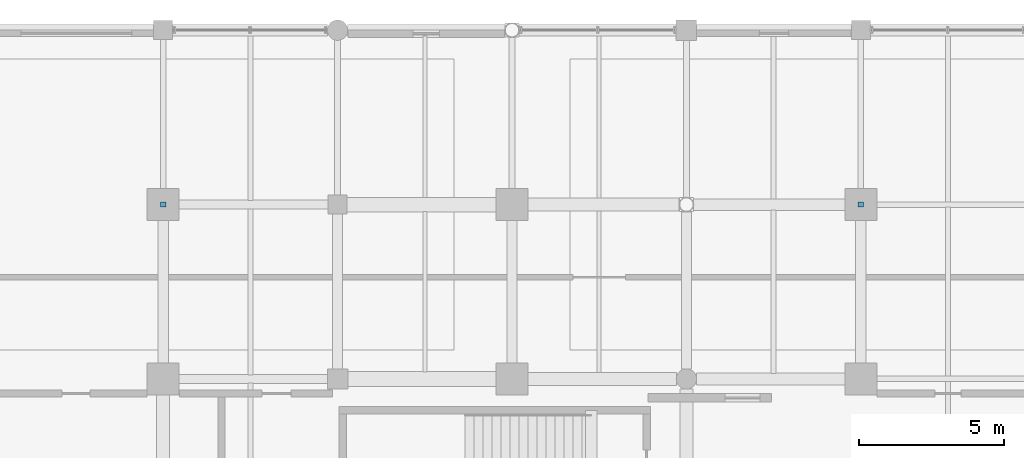
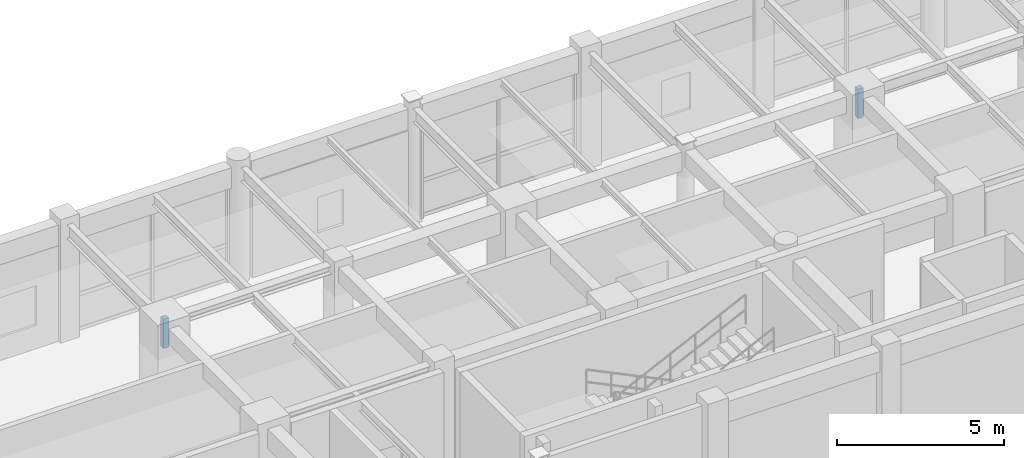
# One storey, part 99 of 116: 2 discrete accessories.
"""IFC4 building model written with IfcOpenShell, lengths in metres."""

from ifc_helpers import new_model, si_unit, direction, frame, origin, origin_2d, place, context, subcontext, project, spatial, rectangle, extrude, material, type_object, element, save


model = new_model("IFC4")

# Units and contexts
model_context = context("Model", 3, precision=1e-05, world=origin(), true_north=direction((0.0, 1.0)))
body_context = subcontext(model_context, "Body", "Model", "MODEL_VIEW")
ifc_project = project(units=[si_unit("LENGTHUNIT", "METRE"), si_unit("AREAUNIT", "SQUARE_METRE"), si_unit("VOLUMEUNIT", "CUBIC_METRE"), si_unit("PLANEANGLEUNIT", "RADIAN"), si_unit("MASSUNIT", "GRAM", prefix="KILO"), si_unit("THERMODYNAMICTEMPERATUREUNIT", "KELVIN"), si_unit("POWERUNIT", "WATT")], contexts=[model_context])

# Site, building, storey
site_placement = place(None, origin())
site = spatial("IfcSite", under=ifc_project, at=site_placement, CompositionType="ELEMENT")
building_placement = place(site_placement, origin())
building = spatial("IfcBuilding", under=site, at=building_placement, Name="Phaisarnlok Congress Hotel", CompositionType="ELEMENT")
storey_placement = place(building_placement, frame((0.0, 0.0, 10.5)))
storey = spatial("IfcBuildingStorey", under=building, at=storey_placement, Name="L02", CompositionType="ELEMENT", Elevation=10.5)

# Discrete accessories
ifc_material = material(Name="Steel S355", Category="steel")
discrete_accessory_type = type_object("IfcDiscreteAccessoryType", Name="ACC-HNG-STL", PredefinedType="BRACKET", material=ifc_material)
for number, where, z_axis, x_axis, name in (
    (1, (96.0, 120.0, 3.205078125), (0.0, 0.0, 1.0), (1.0, 0.0, 0.0), "Acoustic ceiling steel suspension hanger BK-01"),
    (2, (120.0, 120.0, 3.205078125), (0.0, 0.0, 1.0), (1.0, 0.0, 0.0), "Acoustic ceiling steel suspension hanger BK-01"),
):
    element("IfcDiscreteAccessory", number, at=place(storey_placement, frame(where, z_axis=z_axis, x_axis=x_axis)), inside=storey, type_object=discrete_accessory_type, Name=name, PredefinedType="BRACKET", context=body_context, shape_type="SweptSolid", body=[
        extrude(rectangle(XDim=0.179931640625, YDim=0.179931640625, at=origin_2d()), origin(), (0.0, 0.0, 1.0), 1.074951171875),
    ])

save(model, "model.ifc")
